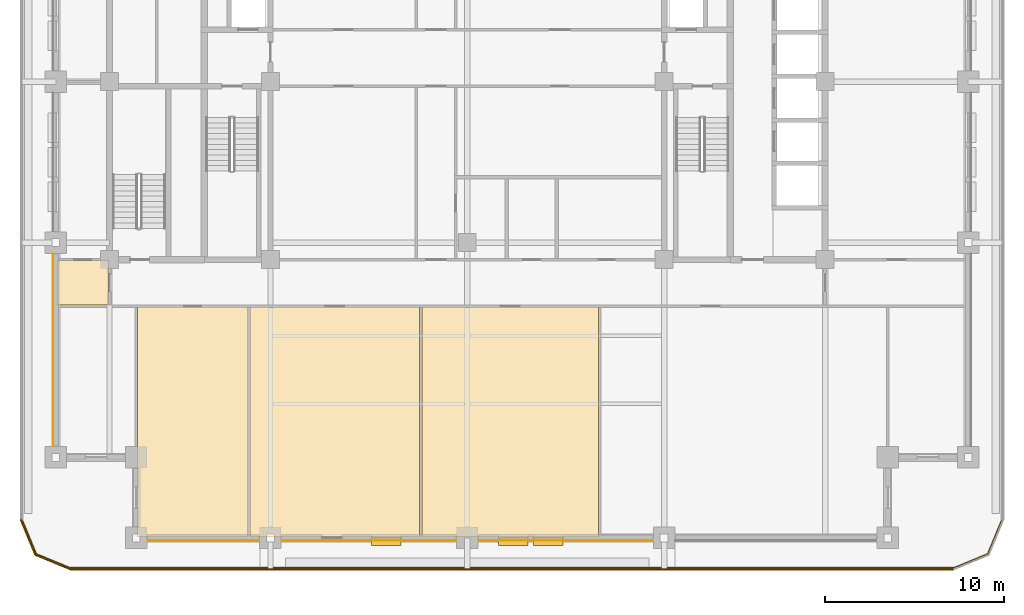
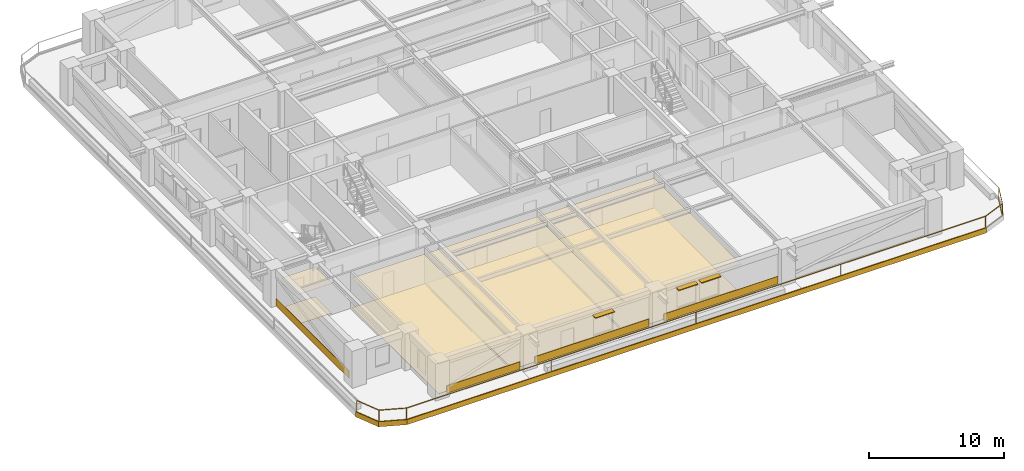
# One storey, part 8 of 14: 15 coverings, 3 shading devices, 1 railing.
"""IFC4 building model written with IfcOpenShell, lengths in metres."""

import ifcopenshell
import ifcopenshell.guid

model = None  # the IFC model being written
_history = None  # IfcOwnerHistory: only IFC2X3 demands one
_inside = {}  # id of a spatial element -> (the spatial element, [elements in it])
_under = {}  # id of a project, library or spatial element -> (it, [spatial elements below it])
_declared = {}  # id of a project -> (the project, [libraries it declares])
_typed = {}  # id of a type object -> (the type object, [elements of that type])
_made_of = {}  # id of a material, layer set ... -> (it, [elements and type objects made of it])


def new_model(schema):
    """Start an empty IFC model of exactly this schema.

    Asked for "IFC4X3", IfcOpenShell would pick the latest addendum, in which some entities
    have other attributes; the version numbers below select the first issue.
    IFC2X3 requires an IfcOwnerHistory on every rooted entity: one is made here for all.
    """
    global model, _history
    if schema == "IFC4X3":
        model = ifcopenshell.file(schema_version=(4, 3, 0, 0))
    else:
        model = ifcopenshell.file(schema=schema)
    _inside.clear()
    _under.clear()
    _declared.clear()
    _typed.clear()
    _made_of.clear()
    _history = None
    if model.schema == "IFC2X3":
        org = make("IfcOrganization", Name="unknown")
        user = make(
            "IfcPersonAndOrganization",
            ThePerson=make("IfcPerson", FamilyName="unknown"),
            TheOrganization=org,
        )
        app = make(
            "IfcApplication",
            ApplicationDeveloper=org,
            Version="unknown",
            ApplicationFullName="unknown",
            ApplicationIdentifier="unknown",
        )
        _history = make(
            "IfcOwnerHistory",
            OwningUser=user,
            OwningApplication=app,
            ChangeAction="ADDED",
            CreationDate=0,
        )
    return model


def make(cls, **values):
    """One entity of the class cls with the attributes given. An attribute that is None is left unset."""
    return model.create_entity(
        cls, **{name: value for name, value in values.items() if value is not None}
    )


def rooted(cls, **values):
    """An entity with a GlobalId (a new one), such as an element, a storey or a relation."""
    return make(cls, GlobalId=ifcopenshell.guid.new(), OwnerHistory=_history, **values)


def si_unit(unit_type, name, prefix=None):
    """IfcSIUnit, for example si_unit("LENGTHUNIT", "METRE", prefix="MILLI")."""
    return make("IfcSIUnit", UnitType=unit_type, Prefix=prefix, Name=name)


def assignment(units):
    """IfcUnitAssignment: the units of a project."""
    return None if units is None else make("IfcUnitAssignment", Units=units)


def point(xyz):
    """IfcCartesianPoint."""
    return None if xyz is None else make("IfcCartesianPoint", Coordinates=xyz)


def direction(xyz):
    """IfcDirection."""
    return None if xyz is None else make("IfcDirection", DirectionRatios=xyz)


def frame(location, z_axis=None, x_axis=None):
    """IfcAxis2Placement3D, a coordinate frame: its origin and axes. An axis left out is left unset."""
    return make(
        "IfcAxis2Placement3D",
        Location=point(location),
        Axis=direction(z_axis),
        RefDirection=direction(x_axis),
    )


def frame_2d(location, x_axis=None):
    """IfcAxis2Placement2D, a coordinate frame in the plane: its origin and x axis."""
    return make(
        "IfcAxis2Placement2D", Location=point(location), RefDirection=direction(x_axis)
    )


def origin():
    """The frame at (0, 0, 0) with its axes left unset."""
    return frame((0.0, 0.0, 0.0))


def origin_2d():
    """The frame at (0, 0) in the plane with its x axis left unset."""
    return frame_2d((0.0, 0.0))


def place(relative_to, where):
    """IfcLocalPlacement: puts the frame where relative to a parent placement (None: the world)."""
    return make(
        "IfcLocalPlacement", PlacementRelTo=relative_to, RelativePlacement=where
    )


def context(
    kind, dimensions, precision=None, world=None, true_north=None, identifier=None
):
    """IfcGeometricRepresentationContext, for example the 3D "Model" context."""
    return make(
        "IfcGeometricRepresentationContext",
        ContextIdentifier=identifier,
        ContextType=kind,
        CoordinateSpaceDimension=dimensions,
        Precision=precision,
        WorldCoordinateSystem=world,
        TrueNorth=true_north,
    )


def subcontext(parent, identifier, kind, view, scale=None):
    """IfcGeometricRepresentationSubContext, for example "Body" below "Model"."""
    return make(
        "IfcGeometricRepresentationSubContext",
        ContextIdentifier=identifier,
        ContextType=kind,
        ParentContext=parent,
        TargetScale=scale,
        TargetView=view,
    )


def project(units=None, contexts=None):
    """IfcProject with its units and contexts."""
    return rooted(
        "IfcProject",
        Name="project",
        RepresentationContexts=contexts,
        UnitsInContext=assignment(units),
    )


def spatial(cls, under=None, at=None, **own):
    """A site, building, storey or space (cls), placed at a placement, below another one or the project."""
    s = rooted(cls, ObjectPlacement=at, **own)
    if under is not None:
        _under.setdefault(under.id(), (under, []))[1].append(s)
    return s


def polyline(points):
    """IfcPolyline through the points."""
    return make("IfcPolyline", Points=[point(p) for p in points])


def profile(cls, at=None, kind="AREA", **sizes):
    """A parametric profile (cls). Its sizes go by their IFC names, for example OverallWidth=200.0."""
    return make(cls, ProfileType=kind, Position=at, **sizes)


def rectangle(**sizes):
    """IfcRectangleProfileDef."""
    return profile("IfcRectangleProfileDef", **sizes)


def outline(outer, holes=None, kind="AREA"):
    """IfcArbitraryClosedProfileDef: a profile drawn as a closed curve; with holes, ...WithVoids."""
    if holes is None:
        return make("IfcArbitraryClosedProfileDef", ProfileType=kind, OuterCurve=outer)
    return make(
        "IfcArbitraryProfileDefWithVoids",
        ProfileType=kind,
        OuterCurve=outer,
        InnerCurves=holes,
    )


def extrude(swept, where, along, depth):
    """IfcExtrudedAreaSolid: the profile swept, set in the frame where, extruded along a direction by depth."""
    return make(
        "IfcExtrudedAreaSolid",
        SweptArea=swept,
        Position=where,
        ExtrudedDirection=direction(along),
        Depth=depth,
    )


def shape(context_of_items, identifier, shape_type, items):
    """IfcShapeRepresentation: the items that make up one representation, for example the "Body"."""
    return make(
        "IfcShapeRepresentation",
        ContextOfItems=context_of_items,
        RepresentationIdentifier=identifier,
        RepresentationType=shape_type,
        Items=items,
    )


def material(Name=None, Category=None):
    """IfcMaterial."""
    return make("IfcMaterial", Name=Name, Category=Category)


def layer(
    of_material, thickness, ventilated=None, Name=None, Category=None, Priority=None
):
    """IfcMaterialLayer: one layer of a wall or slab, of a material (None: an air gap)."""
    return make(
        "IfcMaterialLayer",
        Material=of_material,
        LayerThickness=thickness,
        IsVentilated=ventilated,
        Name=Name,
        Category=Category,
        Priority=Priority,
    )


def layer_set(layers, Name=None):
    """IfcMaterialLayerSet."""
    return make("IfcMaterialLayerSet", MaterialLayers=layers, LayerSetName=Name)


def made_of(thing, what):
    """Note that an element or type object is made of a material, layer set ...; save() writes the relation."""
    if what is not None:
        _made_of.setdefault(what.id(), (what, []))[1].append(thing)
    return thing


def type_object(cls, material=None, **own):
    """A type object (cls), such as IfcWallType, which elements share."""
    return made_of(rooted(cls, **own), material)


def element(
    cls,
    number,
    at=None,
    inside=None,
    cuts=None,
    type_object=None,
    material=None,
    context=None,
    identifier="Body",
    shape_type=None,
    held_by="IfcProductDefinitionShape",
    body=None,
    shapes=None,
    **own,
):
    """One element of the class cls, such as IfcWall. Its Tag is "e" and its number.

    at: its placement. inside: the storey or other place that contains it. cuts: it is an
    opening in that element (IfcRelVoidsElement). A single representation is given by context,
    identifier, shape_type and body (its items); several are given by shapes. held_by: the class
    of the entity that holds the representations. save() writes the other relations.
    """
    e = rooted(cls, Tag="e%d" % number, ObjectPlacement=at, **own)
    if body is not None:
        shapes = [shape(context, identifier, shape_type, body)]
    if shapes is not None:
        e.Representation = make(held_by, Representations=shapes)
    if inside is not None:
        _inside.setdefault(inside.id(), (inside, []))[1].append(e)
    if cuts is not None:
        rooted(
            "IfcRelVoidsElement", RelatingBuildingElement=cuts, RelatedOpeningElement=e
        )
    if type_object is not None:
        _typed.setdefault(type_object.id(), (type_object, []))[1].append(e)
    return made_of(e, material)


def aggregate(whole, parts):
    """IfcRelAggregates: a whole, such as a stair, and the parts it consists of."""
    return rooted("IfcRelAggregates", RelatingObject=whole, RelatedObjects=parts)


def save(model, path):
    """Write the relations noted so far, then the file.

    IfcRelAggregates (storeys below a building ...), IfcRelContainedInSpatialStructure (elements
    in a storey), IfcRelDefinesByType, IfcRelAssociatesMaterial and IfcRelDeclares: one each for
    every whole, place, type object, material and project.
    """
    for whole, parts in _under.values():
        aggregate(whole, parts)
    for where, things in _inside.values():
        rooted(
            "IfcRelContainedInSpatialStructure",
            RelatedElements=things,
            RelatingStructure=where,
        )
    for kind, things in _typed.values():
        rooted("IfcRelDefinesByType", RelatedObjects=things, RelatingType=kind)
    for what, things in _made_of.values():
        rooted("IfcRelAssociatesMaterial", RelatedObjects=things, RelatingMaterial=what)
    for by, libraries in _declared.values():
        rooted("IfcRelDeclares", RelatingContext=by, RelatedDefinitions=libraries)
    model.write(path)


model = new_model("IFC4")

# Units and contexts
model_context = context("Model", 3, precision=1e-05, world=origin(), true_north=direction((0.0, 1.0)))
body_context = subcontext(model_context, "Body", "Model", "MODEL_VIEW")
ifc_project = project(units=[si_unit("LENGTHUNIT", "METRE"), si_unit("AREAUNIT", "SQUARE_METRE"), si_unit("VOLUMEUNIT", "CUBIC_METRE"), si_unit("PLANEANGLEUNIT", "RADIAN"), si_unit("MASSUNIT", "GRAM", prefix="KILO")], contexts=[model_context])

# Site, building, storey
site_placement = place(None, origin())
site = spatial("IfcSite", under=ifc_project, at=site_placement, CompositionType="ELEMENT")
building_placement = place(site_placement, origin())
building = spatial("IfcBuilding", under=site, at=building_placement, Name="Zulmaris Gate Convention Tower", CompositionType="ELEMENT")
storey_placement = place(building_placement, frame((0.0, 0.0, 98.5)))
storey = spatial("IfcBuildingStorey", under=building, at=storey_placement, Name="L24", CompositionType="ELEMENT", Elevation=98.5)

# Coverings
ifc_material_1 = material(Name="Precast concrete C40/50", Category="concrete")
ifc_layer_1 = layer(ifc_material_1, 0.0400390625, Name="Precast concrete C40/50")
ifc_layer_set_1 = layer_set([ifc_layer_1], Name="Precast concrete C40/50")
covering_type_1 = type_object("IfcCoveringType", Name="CLAD-SPANDREL-PRECAST", PredefinedType="CLADDING", material=ifc_layer_set_1)
covering_1_placement = place(storey_placement, frame((-17.8701171875, -25.64990234375, 0.0), z_axis=(0.0, 0.0, 1.0), x_axis=(1.0, 0.0, 0.0)))
element("IfcCovering", 1, at=covering_1_placement, inside=storey, type_object=covering_type_1, Name="CLD-L24-S-0_0", PredefinedType="CLADDING", context=body_context, shape_type="SweptSolid", body=[
    extrude(rectangle(XDim=6.240234375, YDim=0.0400390625, at=frame_2d((3.1201171875, 0.0))), origin(), (0.0, 0.0, 1.0), 0.679931640625),
])
for number, where, z_axis, x_axis, name in (
    (2, (-10.3701171875, -25.64990234375, 0.0), (0.0, 0.0, 1.0), (1.0, 0.0, 0.0), "CLD-L24-S-1_0"),
    (3, (0.6298828125, -25.64990234375, 0.0), (0.0, 0.0, 1.0), (1.0, 0.0, 0.0), "CLD-L24-S-2_0"),
):
    element("IfcCovering", number, at=place(storey_placement, frame(where, z_axis=z_axis, x_axis=x_axis)), inside=storey, type_object=covering_type_1, Name=name, PredefinedType="CLADDING", context=body_context, shape_type="SweptSolid", body=[
        extrude(rectangle(XDim=9.740234375, YDim=0.0400390625, at=frame_2d((4.8701171875, 0.0))), origin(), (0.0, 0.0, 1.0), 0.679931640625),
    ])
covering_2_placement = place(storey_placement, frame((-23.14990234375, -9.6298828125, 0.0), z_axis=(0.0, 0.0, 1.0), x_axis=(0.0, -1.0, 0.0)))
element("IfcCovering", 4, at=covering_2_placement, inside=storey, type_object=covering_type_1, Name="CLD-L24-W-0_0", PredefinedType="CLADDING", context=body_context, shape_type="SweptSolid", body=[
    extrude(rectangle(XDim=10.740234375, YDim=0.0400390625, at=frame_2d((5.3701171875, 0.0))), origin(), (0.0, 0.0, 1.0), 0.679931640625),
])
ifc_material_2 = material(Name="White Glazed Architectural Precast Concrete C40/50", Category="concrete")
ifc_layer_2 = layer(ifc_material_2, 0.080078125, Name="White Glazed Architectural Precast Concrete C40/50")
ifc_layer_set_2 = layer_set([ifc_layer_2], Name="White Glazed Architectural Precast Concrete C40/50")
covering_type_2 = type_object("IfcCoveringType", Name="CLAD-TRAY-FASCIA", PredefinedType="CLADDING", material=ifc_layer_set_2)
covering_3_placement = place(storey_placement, frame((-24.962890625, -24.484619140625, -0.31494140625), z_axis=(0.0, 0.0, 1.0), x_axis=(0.382656984709, -0.923890487046, 0.0)))
element("IfcCovering", 5, at=covering_3_placement, inside=storey, type_object=covering_type_2, Name="FSC-L24-TR-00", PredefinedType="CLADDING", context=body_context, shape_type="SweptSolid", body=[
    extrude(rectangle(XDim=2.14306640625, YDim=0.080078125, at=frame_2d((1.071533203125, 0.0))), origin(), (0.0, 0.0, 1.0), 0.4599609375),
])
covering_4_placement = place(storey_placement, frame((-24.16455078125, -26.44287109375, -0.31494140625), z_axis=(0.0, 0.0, 1.0), x_axis=(0.923873803533, -0.382697263049, 0.0)))
element("IfcCovering", 6, at=covering_4_placement, inside=storey, type_object=covering_type_2, Name="FSC-L24-TR-01", PredefinedType="CLADDING", context=body_context, shape_type="SweptSolid", body=[
    extrude(rectangle(XDim=2.142822265625, YDim=0.080078125, at=frame_2d((1.0712890625, 0.0))), origin(), (0.0, 0.0, 1.0), 0.4599609375),
])
covering_5_placement = place(storey_placement, frame((-22.199951171875, -27.260009765625, -0.31494140625), z_axis=(0.0, 0.0, 1.0), x_axis=(1.0, 0.0, 0.0)))
element("IfcCovering", 7, at=covering_5_placement, inside=storey, type_object=covering_type_2, Name="FSC-L24-TR-02", PredefinedType="CLADDING", context=body_context, shape_type="SweptSolid", body=[
    extrude(rectangle(XDim=49.39990234375, YDim=0.080078125, at=frame_2d((24.699951171875, 0.0))), origin(), (0.0, 0.0, 1.0), 0.4599609375),
])
ifc_material_3 = material(Name="Mineral Fibre Acoustic Ceiling Tile")
ifc_layer_3 = layer(ifc_material_3, 0.02001953125, Name="Mineral Fibre Acoustic Ceiling Tile")
ifc_layer_set_3 = layer_set([ifc_layer_3], Name="Mineral Fibre Acoustic Ceiling Tile")
covering_type_3 = type_object("IfcCoveringType", Name="CLG-ACOUSTIC-600", PredefinedType="CEILING", material=ifc_layer_set_3)
covering_6_placement = place(storey_placement, frame((0.0, 0.0, 2.6796875)))
element("IfcCovering", 8, at=covering_6_placement, inside=storey, type_object=covering_type_3, Name="CLG-L24-R36", PredefinedType="CEILING", context=body_context, shape_type="SweptSolid", body=[
    extrude(outline(polyline([(-18.43994140625, -25.43994140625), (-12.260009765625, -25.43994140625), (-12.260009765625, -12.610107421875), (-18.43994140625, -12.610107421875), (-18.43994140625, -25.43994140625)])), origin(), (0.0, 0.0, 1.0), 0.02001953125),
])
covering_7_placement = place(storey_placement, frame((0.0, 0.0, 2.6796875)))
element("IfcCovering", 9, at=covering_7_placement, inside=storey, type_object=covering_type_3, Name="CLG-L24-R37", PredefinedType="CEILING", context=body_context, shape_type="SweptSolid", body=[
    extrude(outline(polyline([(-12.139892578125, -25.43994140625), (-2.659912109375, -25.43994140625), (-2.659912109375, -12.610107421875), (-12.139892578125, -12.610107421875), (-12.139892578125, -25.43994140625)])), origin(), (0.0, 0.0, 1.0), 0.02001953125),
])
covering_8_placement = place(storey_placement, frame((0.0, 0.0, 2.6796875)))
element("IfcCovering", 10, at=covering_8_placement, inside=storey, type_object=covering_type_3, Name="CLG-L24-R38", PredefinedType="CEILING", context=body_context, shape_type="SweptSolid", body=[
    extrude(outline(polyline([(-2.5400390625, -25.43994140625), (7.340087890625, -25.43994140625), (7.340087890625, -12.610107421875), (-2.5400390625, -12.610107421875), (-2.5400390625, -25.43994140625)])), origin(), (0.0, 0.0, 1.0), 0.02001953125),
])
covering_9_placement = place(storey_placement, frame((0.0, 0.0, 2.6796875)))
element("IfcCovering", 11, at=covering_9_placement, inside=storey, type_object=covering_type_3, Name="CLG-L24-R48", PredefinedType="CEILING", context=body_context, shape_type="SweptSolid", body=[
    extrude(outline(polyline([(-22.93994140625, -12.489990234375), (-20.06005859375, -12.489990234375), (-20.06005859375, -10.010009765625), (-22.93994140625, -10.010009765625), (-22.93994140625, -12.489990234375)])), origin(), (0.0, 0.0, 1.0), 0.02001953125),
])
ifc_material_4 = material(Name="Woven Acoustic Wool Carpet Tile")
ifc_layer_4 = layer(ifc_material_4, 0.02001953125, Name="Woven Acoustic Wool Carpet Tile")
ifc_layer_set_4 = layer_set([ifc_layer_4], Name="Woven Acoustic Wool Carpet Tile")
covering_type_4 = type_object("IfcCoveringType", Name="FLR-CARPET-12", PredefinedType="FLOORING", material=ifc_layer_set_4)
covering_10_placement = place(storey_placement, origin())
element("IfcCovering", 12, at=covering_10_placement, inside=storey, type_object=covering_type_4, Name="FLR-L24-R37", PredefinedType="FLOORING", context=body_context, shape_type="SweptSolid", body=[
    extrude(outline(polyline([(-12.139892578125, -25.43994140625), (-2.659912109375, -25.43994140625), (-2.659912109375, -12.610107421875), (-12.139892578125, -12.610107421875), (-12.139892578125, -25.43994140625)])), origin(), (0.0, 0.0, 1.0), 0.02001953125),
])
covering_11_placement = place(storey_placement, origin())
element("IfcCovering", 13, at=covering_11_placement, inside=storey, type_object=covering_type_4, Name="FLR-L24-R38", PredefinedType="FLOORING", context=body_context, shape_type="SweptSolid", body=[
    extrude(outline(polyline([(-2.5400390625, -25.43994140625), (7.340087890625, -25.43994140625), (7.340087890625, -12.610107421875), (-2.5400390625, -12.610107421875), (-2.5400390625, -25.43994140625)])), origin(), (0.0, 0.0, 1.0), 0.02001953125),
])
covering_12_placement = place(storey_placement, origin())
element("IfcCovering", 14, at=covering_12_placement, inside=storey, type_object=covering_type_4, Name="FLR-L24-R48", PredefinedType="FLOORING", context=body_context, shape_type="SweptSolid", body=[
    extrude(outline(polyline([(-22.93994140625, -12.489990234375), (-20.06005859375, -12.489990234375), (-20.06005859375, -10.010009765625), (-22.93994140625, -10.010009765625), (-22.93994140625, -12.489990234375)])), origin(), (0.0, 0.0, 1.0), 0.02001953125),
])
ifc_material_5 = material(Name="Engineered Teak Parquet Flooring")
ifc_layer_5 = layer(ifc_material_5, 0.02001953125, Name="Engineered Teak Parquet Flooring")
ifc_layer_set_5 = layer_set([ifc_layer_5], Name="Engineered Teak Parquet Flooring")
covering_type_5 = type_object("IfcCoveringType", Name="FLR-TIMBER-18", PredefinedType="FLOORING", material=ifc_layer_set_5)
covering_13_placement = place(storey_placement, origin())
element("IfcCovering", 15, at=covering_13_placement, inside=storey, type_object=covering_type_5, Name="FLR-L24-R36", PredefinedType="FLOORING", context=body_context, shape_type="SweptSolid", body=[
    extrude(outline(polyline([(-18.43994140625, -25.43994140625), (-12.260009765625, -25.43994140625), (-12.260009765625, -12.610107421875), (-18.43994140625, -12.610107421875), (-18.43994140625, -25.43994140625)])), origin(), (0.0, 0.0, 1.0), 0.02001953125),
])

# Railing
ifc_material_6 = material(Name="Laminated Glass and Stainless Steel", Category="steel")
railing_type = type_object("IfcRailingType", Name="RL-BALC-1150", PredefinedType="BALUSTRADE", material=ifc_material_6)
railing_placement = place(storey_placement, frame((-24.8798828125, -24.5, -0.014892578125)))
element("IfcRailing", 16, at=railing_placement, inside=storey, type_object=railing_type, Name="RL-L24-BALC-S", PredefinedType="BALUSTRADE", context=body_context, shape_type="SweptSolid", body=[
    extrude(rectangle(XDim=0.048095703125, YDim=0.048095703125, at=origin_2d()), frame((0.0, 0.0, 1.1259765625), z_axis=(0.382670664694, -0.92388482095, 0.0), x_axis=(0.92388482095, 0.382670664694, 0.0)), (0.0, 0.0, 1.0), 2.051025390625),
    extrude(rectangle(XDim=0.048095703125, YDim=0.048095703125, at=origin_2d()), frame((0.0, 0.0, 0.02392578125), z_axis=(0.382670664694, -0.92388482095, 0.0), x_axis=(0.92388482095, 0.382670664694, 0.0)), (0.0, 0.0, 1.0), 2.051025390625),
    extrude(rectangle(XDim=0.048095703125, YDim=0.048095703125, at=origin_2d()), frame((0.784912109375, -1.89501953125, 1.1259765625), z_axis=(0.92388482095, -0.382670664694, 0.0), x_axis=(0.382670664694, 0.92388482095, 0.0)), (0.0, 0.0, 1.0), 2.051025390625),
    extrude(rectangle(XDim=0.048095703125, YDim=0.048095703125, at=origin_2d()), frame((0.784912109375, -1.89501953125, 0.02392578125), z_axis=(0.92388482095, -0.382670664694, 0.0), x_axis=(0.382670664694, 0.92388482095, 0.0)), (0.0, 0.0, 1.0), 2.051025390625),
    extrude(rectangle(XDim=0.048095703125, YDim=0.048095703125, at=origin_2d()), frame((2.679931640625, -2.679931640625, 1.1259765625), z_axis=(1.0, 0.0, 0.0), x_axis=(0.0, 1.0, 0.0)), (0.0, 0.0, 1.0), 49.39990234375),
    extrude(rectangle(XDim=0.048095703125, YDim=0.048095703125, at=origin_2d()), frame((2.679931640625, -2.679931640625, 0.02392578125), z_axis=(1.0, 0.0, 0.0), x_axis=(0.0, 1.0, 0.0)), (0.0, 0.0, 1.0), 49.39990234375),
    extrude(rectangle(XDim=0.048095703125, YDim=0.048095703125, at=origin_2d()), frame((52.079833984375, -2.679931640625, 1.1259765625), z_axis=(0.92388482095, 0.382670664694, 0.0), x_axis=(-0.382670664694, 0.92388482095, 0.0)), (0.0, 0.0, 1.0), 2.051025390625),
    extrude(rectangle(XDim=0.048095703125, YDim=0.048095703125, at=origin_2d()), frame((52.079833984375, -2.679931640625, 0.02392578125), z_axis=(0.92388482095, 0.382670664694, 0.0), x_axis=(-0.382670664694, 0.92388482095, 0.0)), (0.0, 0.0, 1.0), 2.051025390625),
    extrude(rectangle(XDim=0.048095703125, YDim=0.048095703125, at=origin_2d()), frame((53.974853515625, -1.89501953125, 1.1259765625), z_axis=(0.382670664694, 0.92388482095, 0.0), x_axis=(-0.92388482095, 0.382670664694, 0.0)), (0.0, 0.0, 1.0), 2.051025390625),
    extrude(rectangle(XDim=0.048095703125, YDim=0.048095703125, at=origin_2d()), frame((53.974853515625, -1.89501953125, 0.02392578125), z_axis=(0.382670664694, 0.92388482095, 0.0), x_axis=(-0.92388482095, 0.382670664694, 0.0)), (0.0, 0.0, 1.0), 2.051025390625),
    extrude(rectangle(XDim=0.0419921875, YDim=0.0419921875, at=origin_2d()), origin(), (0.0, 0.0, 1.0), 1.101806640625),
    extrude(rectangle(XDim=0.0419921875, YDim=0.0419921875, at=origin_2d()), frame((0.784912109375, -1.89501953125, 0.0)), (0.0, 0.0, 1.0), 1.101806640625),
    extrude(rectangle(XDim=0.0419921875, YDim=0.0419921875, at=origin_2d()), frame((2.679931640625, -2.679931640625, 0.0)), (0.0, 0.0, 1.0), 1.101806640625),
    extrude(rectangle(XDim=0.0419921875, YDim=0.0419921875, at=origin_2d()), frame((15.02978515625, -2.679931640625, 0.0)), (0.0, 0.0, 1.0), 1.101806640625),
    extrude(rectangle(XDim=0.0419921875, YDim=0.0419921875, at=origin_2d()), frame((27.3798828125, -2.679931640625, 0.0)), (0.0, 0.0, 1.0), 1.101806640625),
    extrude(rectangle(XDim=0.0419921875, YDim=0.0419921875, at=origin_2d()), frame((39.72998046875, -2.679931640625, 0.0)), (0.0, 0.0, 1.0), 1.101806640625),
    extrude(rectangle(XDim=0.0419921875, YDim=0.0419921875, at=origin_2d()), frame((52.079833984375, -2.679931640625, 0.0)), (0.0, 0.0, 1.0), 1.101806640625),
    extrude(rectangle(XDim=0.0419921875, YDim=0.0419921875, at=origin_2d()), frame((53.974853515625, -1.89501953125, 0.0)), (0.0, 0.0, 1.0), 1.101806640625),
    extrude(rectangle(XDim=0.0419921875, YDim=0.0419921875, at=origin_2d()), frame((54.759765625, 0.0, 0.0)), (0.0, 0.0, 1.0), 1.101806640625),
])

# Shading devices
ifc_material_7 = material(Name="Glazed Ceramic Terracotta", Category="masonry")
ifc_layer_6 = layer(ifc_material_7, 0.070068359375, Name="Glazed Ceramic Terracotta")
ifc_layer_set_6 = layer_set([ifc_layer_6], Name="Glazed Ceramic Terracotta")
shading_device_type = type_object("IfcShadingDeviceType", Name="SHD-SUNSHADE-TC", PredefinedType="AWNING", material=ifc_layer_set_6)
for number, where, z_axis, x_axis, name in (
    (17, (-5.35107421875, -25.719970703125, 2.530029296875), (0.0, 0.0, 1.0), (1.0, 0.0, 0.0), "SHD-EW-L24-S-1_0-3"),
    (18, (1.7529296875, -25.719970703125, 2.530029296875), (0.0, 0.0, 1.0), (1.0, 0.0, 0.0), "SHD-EW-L24-S-2_0-1"),
    (19, (3.700927734375, -25.719970703125, 2.530029296875), (0.0, 0.0, 1.0), (1.0, 0.0, 0.0), "SHD-EW-L24-S-2_0-2"),
):
    element("IfcShadingDevice", number, at=place(storey_placement, frame(where, z_axis=z_axis, x_axis=x_axis)), inside=storey, type_object=shading_device_type, Name=name, PredefinedType="AWNING", context=body_context, shape_type="SweptSolid", body=[
        extrude(rectangle(XDim=1.650146484375, YDim=0.43994140625, at=frame_2d((0.8251953125, 0.0))), origin(), (0.0, 0.0, 1.0), 0.070068359375),
    ])

save(model, "model.ifc")
